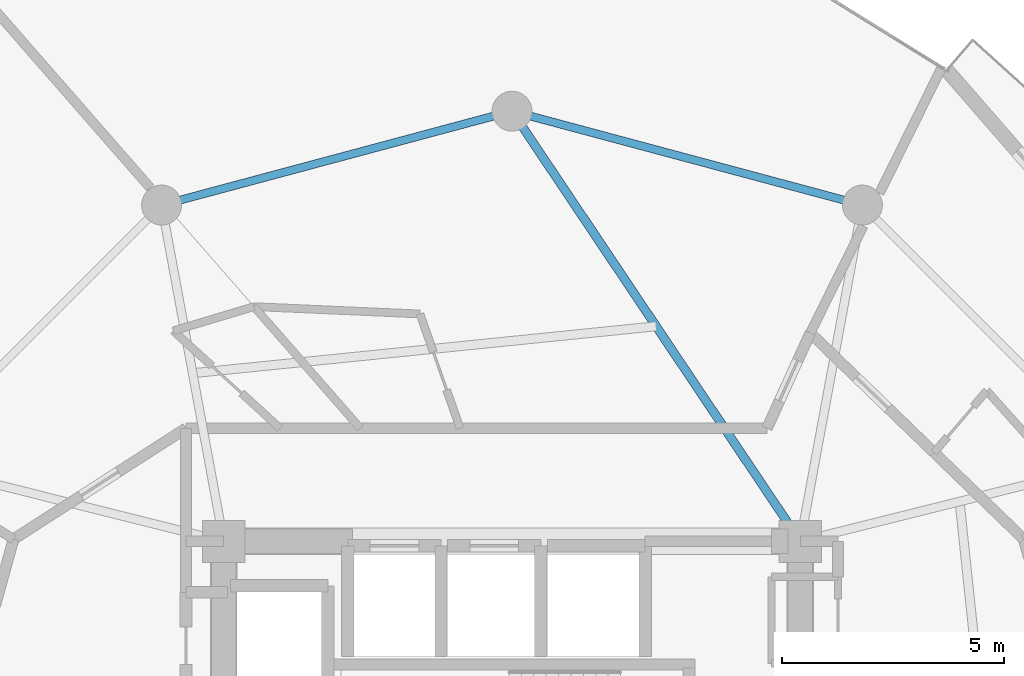
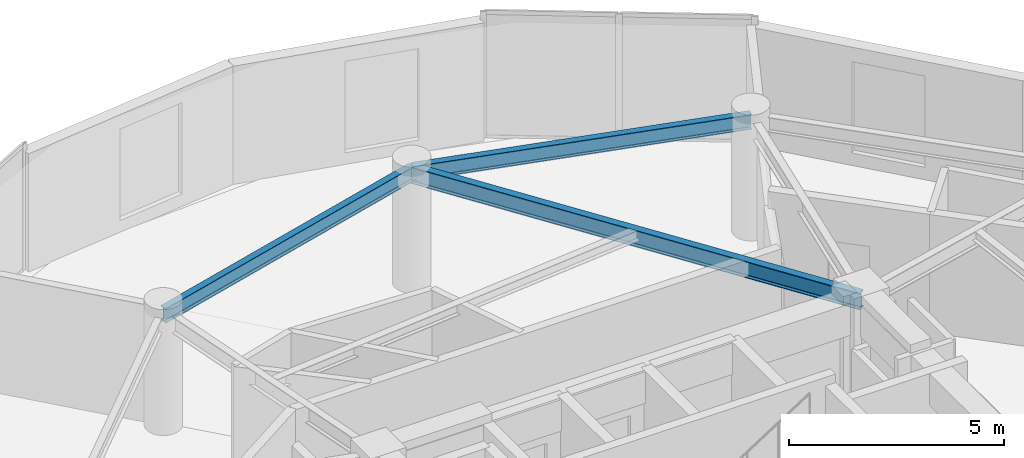
# One storey, part 14 of 22: 3 beams.
"""IFC4 building model written with IfcOpenShell, lengths in metres."""

from ifc_helpers import new_model, si_unit, direction, frame, origin, origin_2d, place, context, subcontext, project, spatial, i_section, extrude, material, material_profile, profile_set, type_object, element, save


model = new_model("IFC4")

# Units and contexts
model_context = context("Model", 3, precision=1e-05, world=origin(), true_north=direction((0.0, 1.0)))
body_context = subcontext(model_context, "Body", "Model", "MODEL_VIEW")
ifc_project = project(units=[si_unit("LENGTHUNIT", "METRE"), si_unit("AREAUNIT", "SQUARE_METRE"), si_unit("VOLUMEUNIT", "CUBIC_METRE"), si_unit("PLANEANGLEUNIT", "RADIAN"), si_unit("MASSUNIT", "GRAM", prefix="KILO")], contexts=[model_context])

# Site, building, storey
site_placement = place(None, origin())
site = spatial("IfcSite", under=ifc_project, at=site_placement, CompositionType="ELEMENT")
building_placement = place(site_placement, origin())
building = spatial("IfcBuilding", under=site, at=building_placement, Name="Solvirekh Grand Hotel", CompositionType="ELEMENT")
storey_placement = place(building_placement, frame((0.0, 0.0, 227.199951171875)))
storey = spatial("IfcBuildingStorey", under=building, at=storey_placement, Name="L59", CompositionType="ELEMENT", Elevation=227.199951171875)

# Beams
ifc_material = material(Name="Steel S355", Category="steel")
ifc_material_profile_1 = material_profile(ifc_material, i_section(OverallWidth=0.194091796875, OverallDepth=0.468994140625, WebThickness=0.010986328125, FlangeThickness=0.01904296875, FilletRadius=0.012939453125, at=origin_2d()), Name="W460X106")
ifc_profile_set_1 = profile_set([ifc_material_profile_1], Name="Steel S355")
beam_type_1 = type_object("IfcBeamType", Name="Beam_Radial_W460H", PredefinedType="BEAM", material=ifc_profile_set_1)
beam_placement = place(storey_placement, frame((6.5, 6.10009765625, 3.1259765625), z_axis=(-0.556676926176, 0.830729077295, 0.0), x_axis=(-0.830729077295, -0.556676926176, 0.0)))
element("IfcBeam", 1, at=beam_placement, inside=storey, type_object=beam_type_1, Name="L59 radial floor beam R04", PredefinedType="BEAM", context=body_context, shape_type="SweptSolid", body=[
    extrude(i_section(OverallWidth=0.194091796875, OverallDepth=0.468994140625, WebThickness=0.010986328125, FlangeThickness=0.01904296875, FilletRadius=0.012939453125, at=origin_2d()), origin(), (0.0, 0.0, 1.0), 11.676513671875),
])
ifc_material_profile_2 = material_profile(ifc_material, i_section(OverallWidth=0.180908203125, OverallDepth=0.4169921875, WebThickness=0.010009765625, FlangeThickness=0.01611328125, FilletRadius=0.011962890625, at=origin_2d()), Name="W410X85")
ifc_profile_set_2 = profile_set([ifc_material_profile_2], Name="Steel S355")
beam_type_2 = type_object("IfcBeamType", Name="Spandrel_Ring_W410", PredefinedType="SPANDREL", material=ifc_profile_set_2)
for number, where, z_axis, x_axis, name in (
    (2, (7.89990234375, 13.68310546875, 3.152099609375), (-0.965920601923, 0.258838541915, 0.0), (-0.258838541915, -0.965920601923, 0.0), "L59 perimeter spandrel beam 3"),
    (3, (0.0, 15.800048828125, 3.152099609375), (-0.965920601923, -0.258838541915, 0.0), (0.258838541915, -0.965920601923, 0.0), "L59 perimeter spandrel beam 4"),
):
    element("IfcBeam", number, at=place(storey_placement, frame(where, z_axis=z_axis, x_axis=x_axis)), inside=storey, type_object=beam_type_2, Name=name, PredefinedType="SPANDREL", context=body_context, shape_type="SweptSolid", body=[
        extrude(i_section(OverallWidth=0.180908203125, OverallDepth=0.4169921875, WebThickness=0.010009765625, FlangeThickness=0.01611328125, FilletRadius=0.011962890625, at=origin_2d()), origin(), (0.0, 0.0, 1.0), 8.1787109375),
    ])

save(model, "model.ifc")
